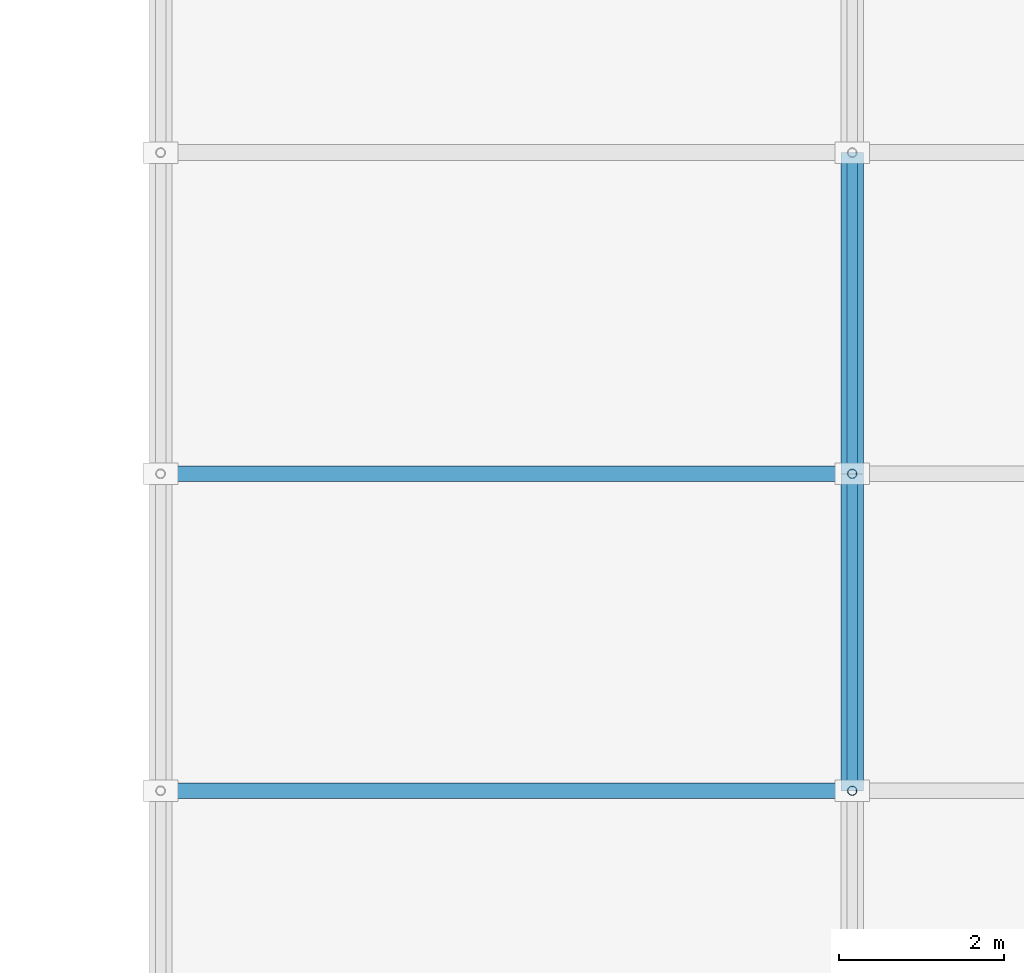
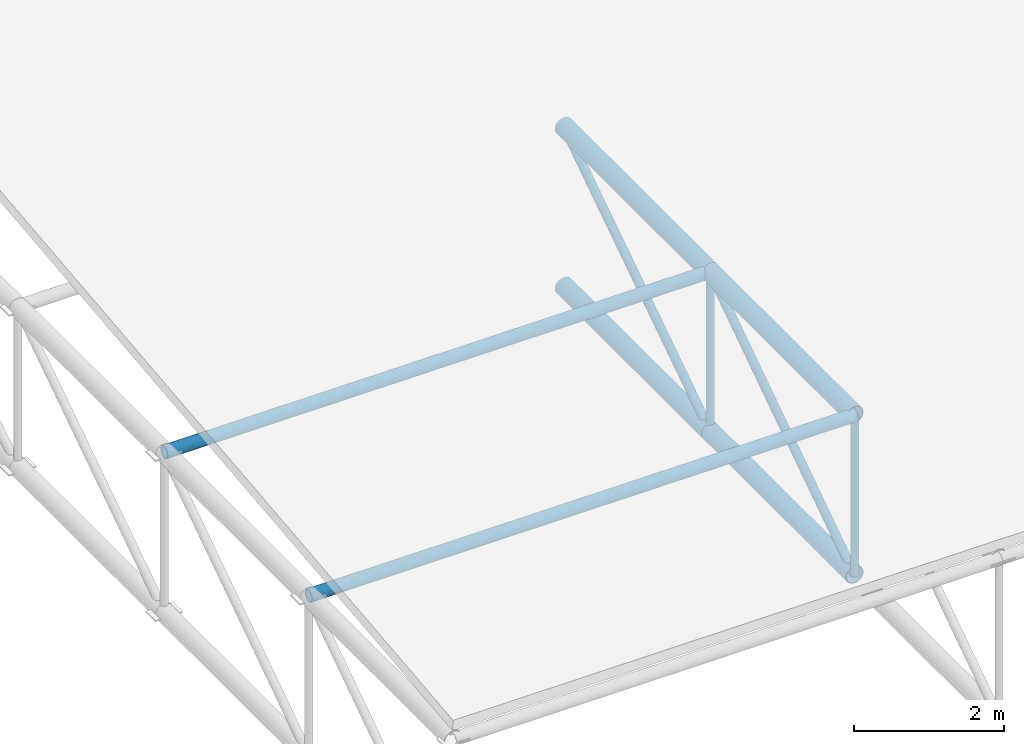
# One storey, part 25 of 140: 6 members, 4 beams.
"""IFC4 building model written with IfcOpenShell, lengths in metres."""

import ifcopenshell
import ifcopenshell.guid

model = None  # the IFC model being written
_history = None  # IfcOwnerHistory: only IFC2X3 demands one
_inside = {}  # id of a spatial element -> (the spatial element, [elements in it])
_under = {}  # id of a project, library or spatial element -> (it, [spatial elements below it])
_declared = {}  # id of a project -> (the project, [libraries it declares])
_typed = {}  # id of a type object -> (the type object, [elements of that type])
_made_of = {}  # id of a material, layer set ... -> (it, [elements and type objects made of it])


def new_model(schema):
    """Start an empty IFC model of exactly this schema.

    Asked for "IFC4X3", IfcOpenShell would pick the latest addendum, in which some entities
    have other attributes; the version numbers below select the first issue.
    IFC2X3 requires an IfcOwnerHistory on every rooted entity: one is made here for all.
    """
    global model, _history
    if schema == "IFC4X3":
        model = ifcopenshell.file(schema_version=(4, 3, 0, 0))
    else:
        model = ifcopenshell.file(schema=schema)
    _inside.clear()
    _under.clear()
    _declared.clear()
    _typed.clear()
    _made_of.clear()
    _history = None
    if model.schema == "IFC2X3":
        org = make("IfcOrganization", Name="unknown")
        user = make(
            "IfcPersonAndOrganization",
            ThePerson=make("IfcPerson", FamilyName="unknown"),
            TheOrganization=org,
        )
        app = make(
            "IfcApplication",
            ApplicationDeveloper=org,
            Version="unknown",
            ApplicationFullName="unknown",
            ApplicationIdentifier="unknown",
        )
        _history = make(
            "IfcOwnerHistory",
            OwningUser=user,
            OwningApplication=app,
            ChangeAction="ADDED",
            CreationDate=0,
        )
    return model


def make(cls, **values):
    """One entity of the class cls with the attributes given. An attribute that is None is left unset."""
    return model.create_entity(
        cls, **{name: value for name, value in values.items() if value is not None}
    )


def rooted(cls, **values):
    """An entity with a GlobalId (a new one), such as an element, a storey or a relation."""
    return make(cls, GlobalId=ifcopenshell.guid.new(), OwnerHistory=_history, **values)


def si_unit(unit_type, name, prefix=None):
    """IfcSIUnit, for example si_unit("LENGTHUNIT", "METRE", prefix="MILLI")."""
    return make("IfcSIUnit", UnitType=unit_type, Prefix=prefix, Name=name)


def assignment(units):
    """IfcUnitAssignment: the units of a project."""
    return None if units is None else make("IfcUnitAssignment", Units=units)


def point(xyz):
    """IfcCartesianPoint."""
    return None if xyz is None else make("IfcCartesianPoint", Coordinates=xyz)


def direction(xyz):
    """IfcDirection."""
    return None if xyz is None else make("IfcDirection", DirectionRatios=xyz)


def frame(location, z_axis=None, x_axis=None):
    """IfcAxis2Placement3D, a coordinate frame: its origin and axes. An axis left out is left unset."""
    return make(
        "IfcAxis2Placement3D",
        Location=point(location),
        Axis=direction(z_axis),
        RefDirection=direction(x_axis),
    )


def frame_2d(location, x_axis=None):
    """IfcAxis2Placement2D, a coordinate frame in the plane: its origin and x axis."""
    return make(
        "IfcAxis2Placement2D", Location=point(location), RefDirection=direction(x_axis)
    )


def origin():
    """The frame at (0, 0, 0) with its axes left unset."""
    return frame((0.0, 0.0, 0.0))


def origin_2d():
    """The frame at (0, 0) in the plane with its x axis left unset."""
    return frame_2d((0.0, 0.0))


def place(relative_to, where):
    """IfcLocalPlacement: puts the frame where relative to a parent placement (None: the world)."""
    return make(
        "IfcLocalPlacement", PlacementRelTo=relative_to, RelativePlacement=where
    )


def context(
    kind, dimensions, precision=None, world=None, true_north=None, identifier=None
):
    """IfcGeometricRepresentationContext, for example the 3D "Model" context."""
    return make(
        "IfcGeometricRepresentationContext",
        ContextIdentifier=identifier,
        ContextType=kind,
        CoordinateSpaceDimension=dimensions,
        Precision=precision,
        WorldCoordinateSystem=world,
        TrueNorth=true_north,
    )


def subcontext(parent, identifier, kind, view, scale=None):
    """IfcGeometricRepresentationSubContext, for example "Body" below "Model"."""
    return make(
        "IfcGeometricRepresentationSubContext",
        ContextIdentifier=identifier,
        ContextType=kind,
        ParentContext=parent,
        TargetScale=scale,
        TargetView=view,
    )


def project(units=None, contexts=None):
    """IfcProject with its units and contexts."""
    return rooted(
        "IfcProject",
        Name="project",
        RepresentationContexts=contexts,
        UnitsInContext=assignment(units),
    )


def spatial(cls, under=None, at=None, **own):
    """A site, building, storey or space (cls), placed at a placement, below another one or the project."""
    s = rooted(cls, ObjectPlacement=at, **own)
    if under is not None:
        _under.setdefault(under.id(), (under, []))[1].append(s)
    return s


def profile(cls, at=None, kind="AREA", **sizes):
    """A parametric profile (cls). Its sizes go by their IFC names, for example OverallWidth=200.0."""
    return make(cls, ProfileType=kind, Position=at, **sizes)


def hollow_circle(**sizes):
    """IfcCircleHollowProfileDef."""
    return profile("IfcCircleHollowProfileDef", **sizes)


def extrude(swept, where, along, depth):
    """IfcExtrudedAreaSolid: the profile swept, set in the frame where, extruded along a direction by depth."""
    return make(
        "IfcExtrudedAreaSolid",
        SweptArea=swept,
        Position=where,
        ExtrudedDirection=direction(along),
        Depth=depth,
    )


def shape(context_of_items, identifier, shape_type, items):
    """IfcShapeRepresentation: the items that make up one representation, for example the "Body"."""
    return make(
        "IfcShapeRepresentation",
        ContextOfItems=context_of_items,
        RepresentationIdentifier=identifier,
        RepresentationType=shape_type,
        Items=items,
    )


def material(Name=None, Category=None):
    """IfcMaterial."""
    return make("IfcMaterial", Name=Name, Category=Category)


def material_profile(
    of_material, cross_section, Name=None, Category=None, Priority=None
):
    """IfcMaterialProfile: a cross section and its material."""
    return make(
        "IfcMaterialProfile",
        Name=Name,
        Material=of_material,
        Profile=cross_section,
        Priority=Priority,
        Category=Category,
    )


def profile_set(profiles, Name=None, composite=None):
    """IfcMaterialProfileSet."""
    return make(
        "IfcMaterialProfileSet",
        Name=Name,
        MaterialProfiles=profiles,
        CompositeProfile=composite,
    )


def made_of(thing, what):
    """Note that an element or type object is made of a material, layer set ...; save() writes the relation."""
    if what is not None:
        _made_of.setdefault(what.id(), (what, []))[1].append(thing)
    return thing


def type_object(cls, material=None, **own):
    """A type object (cls), such as IfcWallType, which elements share."""
    return made_of(rooted(cls, **own), material)


def element(
    cls,
    number,
    at=None,
    inside=None,
    cuts=None,
    type_object=None,
    material=None,
    context=None,
    identifier="Body",
    shape_type=None,
    held_by="IfcProductDefinitionShape",
    body=None,
    shapes=None,
    **own,
):
    """One element of the class cls, such as IfcWall. Its Tag is "e" and its number.

    at: its placement. inside: the storey or other place that contains it. cuts: it is an
    opening in that element (IfcRelVoidsElement). A single representation is given by context,
    identifier, shape_type and body (its items); several are given by shapes. held_by: the class
    of the entity that holds the representations. save() writes the other relations.
    """
    e = rooted(cls, Tag="e%d" % number, ObjectPlacement=at, **own)
    if body is not None:
        shapes = [shape(context, identifier, shape_type, body)]
    if shapes is not None:
        e.Representation = make(held_by, Representations=shapes)
    if inside is not None:
        _inside.setdefault(inside.id(), (inside, []))[1].append(e)
    if cuts is not None:
        rooted(
            "IfcRelVoidsElement", RelatingBuildingElement=cuts, RelatedOpeningElement=e
        )
    if type_object is not None:
        _typed.setdefault(type_object.id(), (type_object, []))[1].append(e)
    return made_of(e, material)


def aggregate(whole, parts):
    """IfcRelAggregates: a whole, such as a stair, and the parts it consists of."""
    return rooted("IfcRelAggregates", RelatingObject=whole, RelatedObjects=parts)


def save(model, path):
    """Write the relations noted so far, then the file.

    IfcRelAggregates (storeys below a building ...), IfcRelContainedInSpatialStructure (elements
    in a storey), IfcRelDefinesByType, IfcRelAssociatesMaterial and IfcRelDeclares: one each for
    every whole, place, type object, material and project.
    """
    for whole, parts in _under.values():
        aggregate(whole, parts)
    for where, things in _inside.values():
        rooted(
            "IfcRelContainedInSpatialStructure",
            RelatedElements=things,
            RelatingStructure=where,
        )
    for kind, things in _typed.values():
        rooted("IfcRelDefinesByType", RelatedObjects=things, RelatingType=kind)
    for what, things in _made_of.values():
        rooted("IfcRelAssociatesMaterial", RelatedObjects=things, RelatingMaterial=what)
    for by, libraries in _declared.values():
        rooted("IfcRelDeclares", RelatingContext=by, RelatedDefinitions=libraries)
    model.write(path)


model = new_model("IFC4")

# Units and contexts
model_context = context("Model", 3, precision=1e-05, world=origin(), true_north=direction((0.0, 1.0)))
body_context = subcontext(model_context, "Body", "Model", "MODEL_VIEW")
ifc_project = project(units=[si_unit("LENGTHUNIT", "METRE"), si_unit("AREAUNIT", "SQUARE_METRE"), si_unit("VOLUMEUNIT", "CUBIC_METRE"), si_unit("PLANEANGLEUNIT", "RADIAN"), si_unit("MASSUNIT", "GRAM", prefix="KILO")], contexts=[model_context])

# Site, building, storey
site_placement = place(None, origin())
site = spatial("IfcSite", under=ifc_project, at=site_placement, CompositionType="ELEMENT")
building_placement = place(site_placement, origin())
building = spatial("IfcBuilding", under=site, at=building_placement, Name="Varnapada Polytechnic", CompositionType="ELEMENT")
storey_placement = place(building_placement, frame((0.0, 0.0, 13.800048828125)))
storey = spatial("IfcBuildingStorey", under=building, at=storey_placement, Name="L03", CompositionType="ELEMENT", Elevation=13.800048828125)

# Members
ifc_material = material(Name="Steel S355", Category="steel")
ifc_material_profile_1 = material_profile(ifc_material, hollow_circle(Radius=0.096923828125, WallThickness=0.00634765625, at=origin_2d()), Name="CHS 193.7x6.3")
ifc_profile_set_1 = profile_set([ifc_material_profile_1], Name="Steel S355")
member_type_1 = type_object("IfcMemberType", Name="Canopy space frame longitudinal chord SFC-03 (CHS 193.7x6.3)", PredefinedType="CHORD", material=ifc_profile_set_1)
for number, where, z_axis, x_axis, name in (
    (1, (75.60009765625, 12.89990234375, -1.35009765625), (1.0, 0.0, 0.0), (0.0, 1.0, 0.0), "Entrance canopy longitudinal chord 1.4"),
    (2, (75.60009765625, 9.050048828125, -1.35009765625), (1.0, 0.0, 0.0), (0.0, 1.0, 0.0), "Entrance canopy longitudinal chord 1.5"),
):
    element("IfcMember", number, at=place(storey_placement, frame(where, z_axis=z_axis, x_axis=x_axis)), inside=storey, type_object=member_type_1, Name=name, PredefinedType="CHORD", context=body_context, shape_type="SweptSolid", body=[
        extrude(hollow_circle(Radius=0.096923828125, WallThickness=0.00634765625, at=origin_2d()), origin(), (0.0, 0.0, 1.0), 8.39990234375),
    ])
ifc_material_profile_2 = material_profile(ifc_material, hollow_circle(Radius=0.05712890625, WallThickness=0.0048828125, at=origin_2d()), Name="CHS 114.3x5.0")
ifc_profile_set_2 = profile_set([ifc_material_profile_2], Name="Steel S355")
member_type_2 = type_object("IfcMemberType", Name="Canopy space frame web strut SFS-02 (CHS 114.3x5.0)", PredefinedType="STRUT", material=ifc_profile_set_2)
for number, where, z_axis, x_axis, name in (
    (3, (84.0, 12.89990234375, -3.949951171875), (0.0, 0.0, 1.0), (1.0, 0.0, 0.0), "Entrance canopy space frame post 2.4"),
    (4, (84.0, 9.050048828125, -3.949951171875), (0.0, 0.0, 1.0), (1.0, 0.0, 0.0), "Entrance canopy space frame post 2.5"),
):
    element("IfcMember", number, at=place(storey_placement, frame(where, z_axis=z_axis, x_axis=x_axis)), inside=storey, type_object=member_type_2, Name=name, PredefinedType="STRUT", context=body_context, shape_type="SweptSolid", body=[
        extrude(hollow_circle(Radius=0.05712890625, WallThickness=0.0048828125, at=origin_2d()), origin(), (0.0, 0.0, 1.0), 2.599853515625),
    ])
ifc_material_profile_3 = material_profile(ifc_material, hollow_circle(Radius=0.0634765625, WallThickness=0.0048828125, at=origin_2d()), Name="CHS 127.0x5.0")
ifc_profile_set_3 = profile_set([ifc_material_profile_3], Name="Steel S355")
member_type_3 = type_object("IfcMemberType", Name="Canopy web diagonal SFB-04 (CHS 127.0x5.0)", PredefinedType="BRACE", material=ifc_profile_set_3)
member_1_placement = place(storey_placement, frame((84.0, 16.800048828125, -1.35009765625), z_axis=(0.0, -0.832074333263, -0.554664136145), x_axis=(1.0, 0.0, 0.0)))
element("IfcMember", 5, at=member_1_placement, inside=storey, type_object=member_type_3, Name="Entrance canopy space frame web brace 2.3", PredefinedType="BRACE", context=body_context, shape_type="SweptSolid", body=[
    extrude(hollow_circle(Radius=0.0634765625, WallThickness=0.0048828125, at=origin_2d()), origin(), (0.0, 0.0, 1.0), 4.687255859375),
])
member_2_placement = place(storey_placement, frame((84.0, 12.89990234375, -1.35009765625), z_axis=(0.0, -0.828728630838, -0.559650655704), x_axis=(1.0, 0.0, 0.0)))
element("IfcMember", 6, at=member_2_placement, inside=storey, type_object=member_type_3, Name="Entrance canopy space frame web brace 2.4", PredefinedType="BRACE", context=body_context, shape_type="SweptSolid", body=[
    extrude(hollow_circle(Radius=0.0634765625, WallThickness=0.0048828125, at=origin_2d()), origin(), (0.0, 0.0, 1.0), 4.6455078125),
])

# Beams
ifc_material_profile_4 = material_profile(ifc_material, hollow_circle(Radius=0.136474609375, WallThickness=0.010009765625, at=origin_2d()), Name="CHS 273.0x10.0")
ifc_profile_set_4 = profile_set([ifc_material_profile_4], Name="Steel S355")
beam_type = type_object("IfcBeamType", Name="Vaulted space frame canopy chord beam VA-03 (CHS 273.0x10.0)", PredefinedType="BEAM", material=ifc_profile_set_4)
for number, where, z_axis, x_axis, name in (
    (7, (84.0, 16.800048828125, -3.949951171875), (0.0, -1.0, 0.0), (1.0, 0.0, 0.0), "Entrance canopy space frame bottom chord 2.3"),
    (8, (84.0, 16.800048828125, -1.35009765625), (0.0, -1.0, 0.0), (1.0, 0.0, 0.0), "Entrance canopy space frame top chord 2.3"),
):
    element("IfcBeam", number, at=place(storey_placement, frame(where, z_axis=z_axis, x_axis=x_axis)), inside=storey, type_object=beam_type, Name=name, PredefinedType="BEAM", context=body_context, shape_type="SweptSolid", body=[
        extrude(hollow_circle(Radius=0.136474609375, WallThickness=0.010009765625, at=origin_2d()), origin(), (0.0, 0.0, 1.0), 3.900146484375),
    ])
for number, where, z_axis, x_axis, name in (
    (9, (84.0, 12.89990234375, -3.949951171875), (0.0, -1.0, 0.0), (1.0, 0.0, 0.0), "Entrance canopy space frame bottom chord 2.4"),
    (10, (84.0, 12.89990234375, -1.35009765625), (0.0, -1.0, 0.0), (1.0, 0.0, 0.0), "Entrance canopy space frame top chord 2.4"),
):
    element("IfcBeam", number, at=place(storey_placement, frame(where, z_axis=z_axis, x_axis=x_axis)), inside=storey, type_object=beam_type, Name=name, PredefinedType="BEAM", context=body_context, shape_type="SweptSolid", body=[
        extrude(hollow_circle(Radius=0.136474609375, WallThickness=0.010009765625, at=origin_2d()), origin(), (0.0, 0.0, 1.0), 3.849853515625),
    ])

save(model, "model.ifc")
